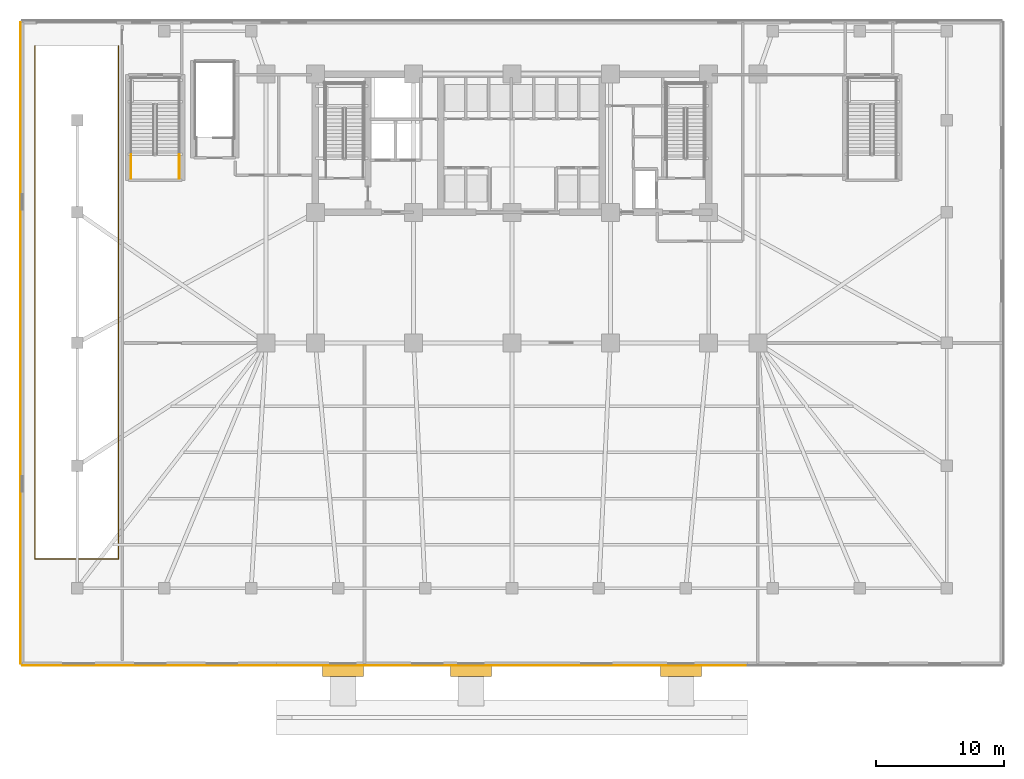
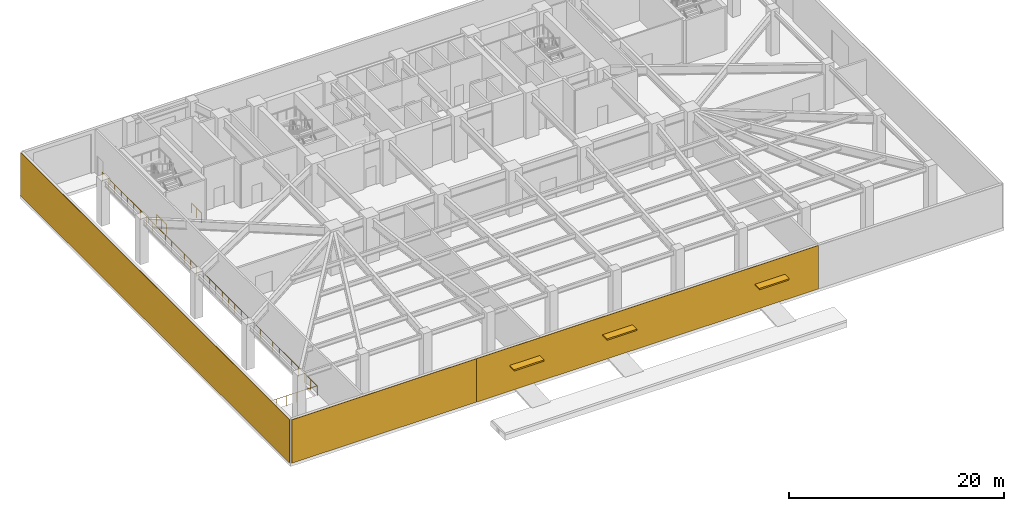
# One storey, part 8 of 15: 3 coverings, 3 railings, 3 shading devices.
"""IFC4 building model written with IfcOpenShell, lengths in metres."""

from ifc_helpers import new_model, si_unit, direction, frame, frame_2d, origin, origin_2d, place, context, subcontext, project, spatial, rectangle, circle, extrude, material, layer, layer_set, type_object, element, save


model = new_model("IFC4")

# Units and contexts
model_context = context("Model", 3, precision=1e-05, world=origin(), true_north=direction((0.0, 1.0)))
body_context = subcontext(model_context, "Body", "Model", "MODEL_VIEW")
ifc_project = project(units=[si_unit("LENGTHUNIT", "METRE"), si_unit("AREAUNIT", "SQUARE_METRE"), si_unit("VOLUMEUNIT", "CUBIC_METRE"), si_unit("PLANEANGLEUNIT", "RADIAN"), si_unit("MASSUNIT", "GRAM", prefix="KILO")], contexts=[model_context])

# Site, building, storey
site_placement = place(None, origin())
site = spatial("IfcSite", under=ifc_project, at=site_placement, CompositionType="ELEMENT")
building_placement = place(site_placement, origin())
building = spatial("IfcBuilding", under=site, at=building_placement, Name="Yelkora Congress Tower", CompositionType="ELEMENT")
storey_placement = place(building_placement, origin())
storey = spatial("IfcBuildingStorey", under=building, at=storey_placement, Name="L00", CompositionType="ELEMENT", Elevation=0.0)

# Coverings
ifc_material_1 = material(Name="Anatolian honed limestone ashlar", Category="masonry")
ifc_layer_1 = layer(ifc_material_1, 0.050048828125)
ifc_layer_set_1 = layer_set([ifc_layer_1], Name="Anatolian honed limestone ashlar")
covering_type = type_object("IfcCoveringType", Name="COV-CLAD-LIMESTONE-50", PredefinedType="CLADDING", material=ifc_layer_set_1)
covering_1_placement = place(storey_placement, frame((0.0, 0.159912109375, 0.0), z_axis=(0.0, 0.0, 1.0), x_axis=(0.0, 1.0, 0.0)))
element("IfcCovering", 1, at=covering_1_placement, inside=storey, type_object=covering_type, Name="L00 Anatolian Limestone Cladding EW-L00-E01", PredefinedType="CLADDING", context=body_context, shape_type="SweptSolid", body=[
    extrude(rectangle(XDim=50.080078125, YDim=0.050048828125, at=frame_2d((25.0400390625, 0.0))), origin(), (0.0, 0.0, 1.0), 4.93994140625),
])
covering_2_placement = place(storey_placement, frame((0.159912109375, 0.0, 0.0), z_axis=(0.0, 0.0, 1.0), x_axis=(1.0, 0.0, 0.0)))
element("IfcCovering", 2, at=covering_2_placement, inside=storey, type_object=covering_type, Name="L00 Anatolian Limestone Cladding EW-L00-S-W", PredefinedType="CLADDING", context=body_context, shape_type="SweptSolid", body=[
    extrude(rectangle(XDim=19.840087890625, YDim=0.050048828125, at=frame_2d((9.919921875, 0.0))), origin(), (0.0, 0.0, 1.0), 4.93994140625),
])
covering_3_placement = place(storey_placement, frame((20.0, 0.0, 0.0), z_axis=(0.0, 0.0, 1.0), x_axis=(1.0, 0.0, 0.0)))
element("IfcCovering", 3, at=covering_3_placement, inside=storey, type_object=covering_type, Name="L00 Anatolian Limestone Cladding EW-L00-S-ENT", PredefinedType="CLADDING", context=body_context, shape_type="SweptSolid", body=[
    extrude(rectangle(XDim=36.800048828125, YDim=0.050048828125, at=frame_2d((18.39990234375, 0.0))), origin(), (0.0, 0.0, 1.0), 4.93994140625),
])

# Railings
ifc_material_2 = material(Name="Stainless steel 316L and laminated glass infill", Category="steel")
ifc_layer_2 = layer(ifc_material_2, 0.080078125)
ifc_layer_set_2 = layer_set([ifc_layer_2], Name="Stainless steel 316L and laminated glass infill")
railing_type_1 = type_object("IfcRailingType", Name="RAIL-EXT-GUARD-1150", PredefinedType="GUARDRAIL", material=ifc_layer_set_2)
railing_placement = place(storey_placement, frame((1.159912109375, 48.39990234375, 0.0)))
element("IfcRailing", 4, at=railing_placement, inside=storey, type_object=railing_type_1, Name="L00 Vehicle Ramp Well Guardrail", PredefinedType="GUARDRAIL", context=body_context, shape_type="SweptSolid", body=[
    extrude(circle(Radius=0.02392578125, at=origin_2d()), frame((0.0, 0.0, 1.1259765625), z_axis=(0.0, -1.0, 0.0), x_axis=(1.0, 0.0, 0.0)), (0.0, 0.0, 1.0), 40.079833984375),
    extrude(circle(Radius=0.02392578125, at=origin_2d()), frame((0.0, -40.079833984375, 1.1259765625), z_axis=(1.0, 0.0, 0.0), x_axis=(0.0, 1.0, 0.0)), (0.0, 0.0, 1.0), 6.52001953125),
    extrude(circle(Radius=0.02392578125, at=origin_2d()), frame((6.52001953125, -40.079833984375, 1.1259765625), z_axis=(0.0, 1.0, 0.0), x_axis=(-1.0, 0.0, 0.0)), (0.0, 0.0, 1.0), 40.079833984375),
    extrude(circle(Radius=0.02099609375, at=origin_2d()), origin(), (0.0, 0.0, 1.0), 1.101806640625),
    extrude(circle(Radius=0.02099609375, at=origin_2d()), frame((0.0, -1.1787109375, 0.0)), (0.0, 0.0, 1.0), 1.101806640625),
    extrude(circle(Radius=0.02099609375, at=origin_2d()), frame((0.0, -2.357666015625, 0.0)), (0.0, 0.0, 1.0), 1.101806640625),
    extrude(circle(Radius=0.02099609375, at=origin_2d()), frame((0.0, -3.536376953125, 0.0)), (0.0, 0.0, 1.0), 1.101806640625),
    extrude(circle(Radius=0.02099609375, at=origin_2d()), frame((0.0, -4.71533203125, 0.0)), (0.0, 0.0, 1.0), 1.101806640625),
    extrude(circle(Radius=0.02099609375, at=origin_2d()), frame((0.0, -5.89404296875, 0.0)), (0.0, 0.0, 1.0), 1.101806640625),
    extrude(circle(Radius=0.02099609375, at=origin_2d()), frame((0.0, -7.072998046875, 0.0)), (0.0, 0.0, 1.0), 1.101806640625),
    extrude(circle(Radius=0.02099609375, at=origin_2d()), frame((0.0, -8.251708984375, 0.0)), (0.0, 0.0, 1.0), 1.101806640625),
    extrude(circle(Radius=0.02099609375, at=origin_2d()), frame((0.0, -9.4306640625, 0.0)), (0.0, 0.0, 1.0), 1.101806640625),
    extrude(circle(Radius=0.02099609375, at=origin_2d()), frame((0.0, -10.609375, 0.0)), (0.0, 0.0, 1.0), 1.101806640625),
    extrude(circle(Radius=0.02099609375, at=origin_2d()), frame((0.0, -11.7880859375, 0.0)), (0.0, 0.0, 1.0), 1.101806640625),
    extrude(circle(Radius=0.02099609375, at=origin_2d()), frame((0.0, -12.967041015625, 0.0)), (0.0, 0.0, 1.0), 1.101806640625),
    extrude(circle(Radius=0.02099609375, at=origin_2d()), frame((0.0, -14.145751953125, 0.0)), (0.0, 0.0, 1.0), 1.101806640625),
    extrude(circle(Radius=0.02099609375, at=origin_2d()), frame((0.0, -15.32470703125, 0.0)), (0.0, 0.0, 1.0), 1.101806640625),
    extrude(circle(Radius=0.02099609375, at=origin_2d()), frame((0.0, -16.50341796875, 0.0)), (0.0, 0.0, 1.0), 1.101806640625),
    extrude(circle(Radius=0.02099609375, at=origin_2d()), frame((0.0, -17.682373046875, 0.0)), (0.0, 0.0, 1.0), 1.101806640625),
    extrude(circle(Radius=0.02099609375, at=origin_2d()), frame((0.0, -18.861083984375, 0.0)), (0.0, 0.0, 1.0), 1.101806640625),
    extrude(circle(Radius=0.02099609375, at=origin_2d()), frame((0.0, -20.0400390625, 0.0)), (0.0, 0.0, 1.0), 1.101806640625),
    extrude(circle(Radius=0.02099609375, at=origin_2d()), frame((0.0, -21.21875, 0.0)), (0.0, 0.0, 1.0), 1.101806640625),
    extrude(circle(Radius=0.02099609375, at=origin_2d()), frame((0.0, -22.3974609375, 0.0)), (0.0, 0.0, 1.0), 1.101806640625),
    extrude(circle(Radius=0.02099609375, at=origin_2d()), frame((0.0, -23.576416015625, 0.0)), (0.0, 0.0, 1.0), 1.101806640625),
    extrude(circle(Radius=0.02099609375, at=origin_2d()), frame((0.0, -24.755126953125, 0.0)), (0.0, 0.0, 1.0), 1.101806640625),
    extrude(circle(Radius=0.02099609375, at=origin_2d()), frame((0.0, -25.93408203125, 0.0)), (0.0, 0.0, 1.0), 1.101806640625),
    extrude(circle(Radius=0.02099609375, at=origin_2d()), frame((0.0, -27.11279296875, 0.0)), (0.0, 0.0, 1.0), 1.101806640625),
    extrude(circle(Radius=0.02099609375, at=origin_2d()), frame((0.0, -28.291748046875, 0.0)), (0.0, 0.0, 1.0), 1.101806640625),
    extrude(circle(Radius=0.02099609375, at=origin_2d()), frame((0.0, -29.470458984375, 0.0)), (0.0, 0.0, 1.0), 1.101806640625),
    extrude(circle(Radius=0.02099609375, at=origin_2d()), frame((0.0, -30.649169921875, 0.0)), (0.0, 0.0, 1.0), 1.101806640625),
    extrude(circle(Radius=0.02099609375, at=origin_2d()), frame((0.0, -31.828125, 0.0)), (0.0, 0.0, 1.0), 1.101806640625),
    extrude(circle(Radius=0.02099609375, at=origin_2d()), frame((0.0, -33.0068359375, 0.0)), (0.0, 0.0, 1.0), 1.101806640625),
    extrude(circle(Radius=0.02099609375, at=origin_2d()), frame((0.0, -34.185791015625, 0.0)), (0.0, 0.0, 1.0), 1.101806640625),
    extrude(circle(Radius=0.02099609375, at=origin_2d()), frame((0.0, -35.364501953125, 0.0)), (0.0, 0.0, 1.0), 1.101806640625),
    extrude(circle(Radius=0.02099609375, at=origin_2d()), frame((0.0, -36.54345703125, 0.0)), (0.0, 0.0, 1.0), 1.101806640625),
    extrude(circle(Radius=0.02099609375, at=origin_2d()), frame((0.0, -37.72216796875, 0.0)), (0.0, 0.0, 1.0), 1.101806640625),
    extrude(circle(Radius=0.02099609375, at=origin_2d()), frame((0.0, -38.901123046875, 0.0)), (0.0, 0.0, 1.0), 1.101806640625),
    extrude(circle(Radius=0.02099609375, at=origin_2d()), frame((0.0, -40.079833984375, 0.0)), (0.0, 0.0, 1.0), 1.101806640625),
    extrude(circle(Radius=0.02099609375, at=origin_2d()), frame((1.086669921875, -40.079833984375, 0.0)), (0.0, 0.0, 1.0), 1.101806640625),
    extrude(circle(Radius=0.02099609375, at=origin_2d()), frame((2.17333984375, -40.079833984375, 0.0)), (0.0, 0.0, 1.0), 1.101806640625),
    extrude(circle(Radius=0.02099609375, at=origin_2d()), frame((3.260009765625, -40.079833984375, 0.0)), (0.0, 0.0, 1.0), 1.101806640625),
    extrude(circle(Radius=0.02099609375, at=origin_2d()), frame((4.3466796875, -40.079833984375, 0.0)), (0.0, 0.0, 1.0), 1.101806640625),
    extrude(circle(Radius=0.02099609375, at=origin_2d()), frame((5.433349609375, -40.079833984375, 0.0)), (0.0, 0.0, 1.0), 1.101806640625),
    extrude(circle(Radius=0.02099609375, at=origin_2d()), frame((6.52001953125, -40.079833984375, 0.0)), (0.0, 0.0, 1.0), 1.101806640625),
    extrude(circle(Radius=0.02099609375, at=origin_2d()), frame((6.52001953125, -38.901123046875, 0.0)), (0.0, 0.0, 1.0), 1.101806640625),
    extrude(circle(Radius=0.02099609375, at=origin_2d()), frame((6.52001953125, -37.72216796875, 0.0)), (0.0, 0.0, 1.0), 1.101806640625),
    extrude(circle(Radius=0.02099609375, at=origin_2d()), frame((6.52001953125, -36.54345703125, 0.0)), (0.0, 0.0, 1.0), 1.101806640625),
    extrude(circle(Radius=0.02099609375, at=origin_2d()), frame((6.52001953125, -35.364501953125, 0.0)), (0.0, 0.0, 1.0), 1.101806640625),
    extrude(circle(Radius=0.02099609375, at=origin_2d()), frame((6.52001953125, -34.185791015625, 0.0)), (0.0, 0.0, 1.0), 1.101806640625),
    extrude(circle(Radius=0.02099609375, at=origin_2d()), frame((6.52001953125, -33.0068359375, 0.0)), (0.0, 0.0, 1.0), 1.101806640625),
    extrude(circle(Radius=0.02099609375, at=origin_2d()), frame((6.52001953125, -31.828125, 0.0)), (0.0, 0.0, 1.0), 1.101806640625),
    extrude(circle(Radius=0.02099609375, at=origin_2d()), frame((6.52001953125, -30.649169921875, 0.0)), (0.0, 0.0, 1.0), 1.101806640625),
    extrude(circle(Radius=0.02099609375, at=origin_2d()), frame((6.52001953125, -29.470458984375, 0.0)), (0.0, 0.0, 1.0), 1.101806640625),
    extrude(circle(Radius=0.02099609375, at=origin_2d()), frame((6.52001953125, -28.291748046875, 0.0)), (0.0, 0.0, 1.0), 1.101806640625),
    extrude(circle(Radius=0.02099609375, at=origin_2d()), frame((6.52001953125, -27.11279296875, 0.0)), (0.0, 0.0, 1.0), 1.101806640625),
    extrude(circle(Radius=0.02099609375, at=origin_2d()), frame((6.52001953125, -25.93408203125, 0.0)), (0.0, 0.0, 1.0), 1.101806640625),
    extrude(circle(Radius=0.02099609375, at=origin_2d()), frame((6.52001953125, -24.755126953125, 0.0)), (0.0, 0.0, 1.0), 1.101806640625),
    extrude(circle(Radius=0.02099609375, at=origin_2d()), frame((6.52001953125, -23.576416015625, 0.0)), (0.0, 0.0, 1.0), 1.101806640625),
    extrude(circle(Radius=0.02099609375, at=origin_2d()), frame((6.52001953125, -22.3974609375, 0.0)), (0.0, 0.0, 1.0), 1.101806640625),
    extrude(circle(Radius=0.02099609375, at=origin_2d()), frame((6.52001953125, -21.21875, 0.0)), (0.0, 0.0, 1.0), 1.101806640625),
    extrude(circle(Radius=0.02099609375, at=origin_2d()), frame((6.52001953125, -20.0400390625, 0.0)), (0.0, 0.0, 1.0), 1.101806640625),
    extrude(circle(Radius=0.02099609375, at=origin_2d()), frame((6.52001953125, -18.861083984375, 0.0)), (0.0, 0.0, 1.0), 1.101806640625),
    extrude(circle(Radius=0.02099609375, at=origin_2d()), frame((6.52001953125, -17.682373046875, 0.0)), (0.0, 0.0, 1.0), 1.101806640625),
    extrude(circle(Radius=0.02099609375, at=origin_2d()), frame((6.52001953125, -16.50341796875, 0.0)), (0.0, 0.0, 1.0), 1.101806640625),
    extrude(circle(Radius=0.02099609375, at=origin_2d()), frame((6.52001953125, -15.32470703125, 0.0)), (0.0, 0.0, 1.0), 1.101806640625),
    extrude(circle(Radius=0.02099609375, at=origin_2d()), frame((6.52001953125, -14.145751953125, 0.0)), (0.0, 0.0, 1.0), 1.101806640625),
    extrude(circle(Radius=0.02099609375, at=origin_2d()), frame((6.52001953125, -12.967041015625, 0.0)), (0.0, 0.0, 1.0), 1.101806640625),
    extrude(circle(Radius=0.02099609375, at=origin_2d()), frame((6.52001953125, -11.7880859375, 0.0)), (0.0, 0.0, 1.0), 1.101806640625),
    extrude(circle(Radius=0.02099609375, at=origin_2d()), frame((6.52001953125, -10.609375, 0.0)), (0.0, 0.0, 1.0), 1.101806640625),
    extrude(circle(Radius=0.02099609375, at=origin_2d()), frame((6.52001953125, -9.4306640625, 0.0)), (0.0, 0.0, 1.0), 1.101806640625),
    extrude(circle(Radius=0.02099609375, at=origin_2d()), frame((6.52001953125, -8.251708984375, 0.0)), (0.0, 0.0, 1.0), 1.101806640625),
    extrude(circle(Radius=0.02099609375, at=origin_2d()), frame((6.52001953125, -7.072998046875, 0.0)), (0.0, 0.0, 1.0), 1.101806640625),
    extrude(circle(Radius=0.02099609375, at=origin_2d()), frame((6.52001953125, -5.89404296875, 0.0)), (0.0, 0.0, 1.0), 1.101806640625),
    extrude(circle(Radius=0.02099609375, at=origin_2d()), frame((6.52001953125, -4.71533203125, 0.0)), (0.0, 0.0, 1.0), 1.101806640625),
    extrude(circle(Radius=0.02099609375, at=origin_2d()), frame((6.52001953125, -3.536376953125, 0.0)), (0.0, 0.0, 1.0), 1.101806640625),
    extrude(circle(Radius=0.02099609375, at=origin_2d()), frame((6.52001953125, -2.357666015625, 0.0)), (0.0, 0.0, 1.0), 1.101806640625),
    extrude(circle(Radius=0.02099609375, at=origin_2d()), frame((6.52001953125, -1.1787109375, 0.0)), (0.0, 0.0, 1.0), 1.101806640625),
    extrude(circle(Radius=0.02099609375, at=origin_2d()), frame((6.52001953125, 0.0, 0.0)), (0.0, 0.0, 1.0), 1.101806640625),
])
ifc_material_3 = material(Name="Painted galvanised steel stair well guard with vertical infill", Category="steel")
ifc_layer_3 = layer(ifc_material_3, 0.06005859375)
ifc_layer_set_3 = layer_set([ifc_layer_3], Name="Painted galvanised steel stair well guard with vertical infill")
railing_type_2 = type_object("IfcRailingType", Name="RAIL-STAIR-GUARD-1120", PredefinedType="GUARDRAIL", material=ifc_layer_set_3)
for number, where, name in (
    (5, (12.409912109375, 38.050048828125, 0.0), "ST-P1 L00 Stair Well Guardrail 8"),
    (6, (8.64990234375, 38.050048828125, 0.0), "ST-P1 L00 Stair Well Guardrail 9"),
):
    element("IfcRailing", number, at=place(storey_placement, frame(where)), inside=storey, type_object=railing_type_2, Name=name, PredefinedType="GUARDRAIL", context=body_context, shape_type="SweptSolid", body=[
        extrude(circle(Radius=0.02392578125, at=origin_2d()), frame((0.0, 0.0, 1.09619140625), z_axis=(0.0, 1.0, 0.0), x_axis=(-1.0, 0.0, 0.0)), (0.0, 0.0, 1.0), 1.849853515625),
        extrude(circle(Radius=0.02099609375, at=origin_2d()), origin(), (0.0, 0.0, 1.0), 1.072021484375),
        extrude(circle(Radius=0.02099609375, at=origin_2d()), frame((0.0, 0.9248046875, 0.0)), (0.0, 0.0, 1.0), 1.072021484375),
        extrude(circle(Radius=0.02099609375, at=origin_2d()), frame((0.0, 1.849853515625, 0.0)), (0.0, 0.0, 1.0), 1.072021484375),
    ])

# Shading devices
ifc_material_4 = material(Name="Anodised aluminium aerofoil", Category="aluminium")
ifc_layer_4 = layer(ifc_material_4, 0.159912109375)
ifc_layer_set_4 = layer_set([ifc_layer_4], Name="Anodised aluminium aerofoil")
shading_device_type = type_object("IfcShadingDeviceType", Name="SHD-SUNSHADE-900", PredefinedType="USERDEFINED", material=ifc_layer_set_4)
for number, where, z_axis, x_axis, name in (
    (7, (25.199951171875, -0.389892578125, 2.77001953125), (0.0, 0.0, 1.0), (1.0, 0.0, 0.0), "L00 Entrance Canopy Sunshade 1"),
    (8, (35.199951171875, -0.389892578125, 2.77001953125), (0.0, 0.0, 1.0), (1.0, 0.0, 0.0), "L00 Entrance Canopy Sunshade 2"),
    (9, (51.60009765625, -0.389892578125, 2.77001953125), (0.0, 0.0, 1.0), (1.0, 0.0, 0.0), "L00 Entrance Canopy Sunshade 3"),
):
    element("IfcShadingDevice", number, at=place(storey_placement, frame(where, z_axis=z_axis, x_axis=x_axis)), inside=storey, type_object=shading_device_type, Name=name, ObjectType="SUNSHADE", PredefinedType="USERDEFINED", context=body_context, shape_type="SweptSolid", body=[
        extrude(rectangle(XDim=3.199951171875, YDim=0.89990234375, at=origin_2d()), origin(), (0.0, 0.0, 1.0), 0.159912109375),
    ])

save(model, "model.ifc")
